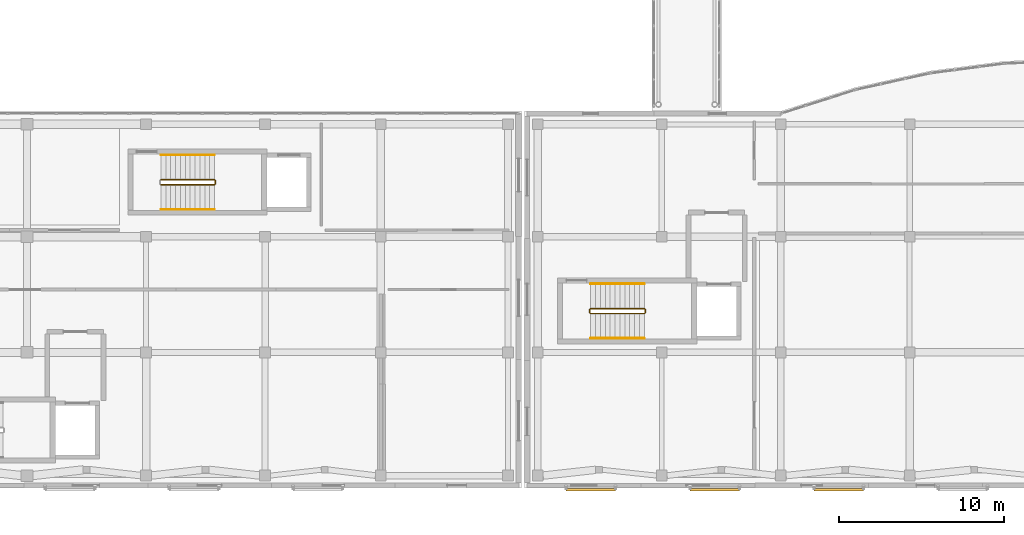
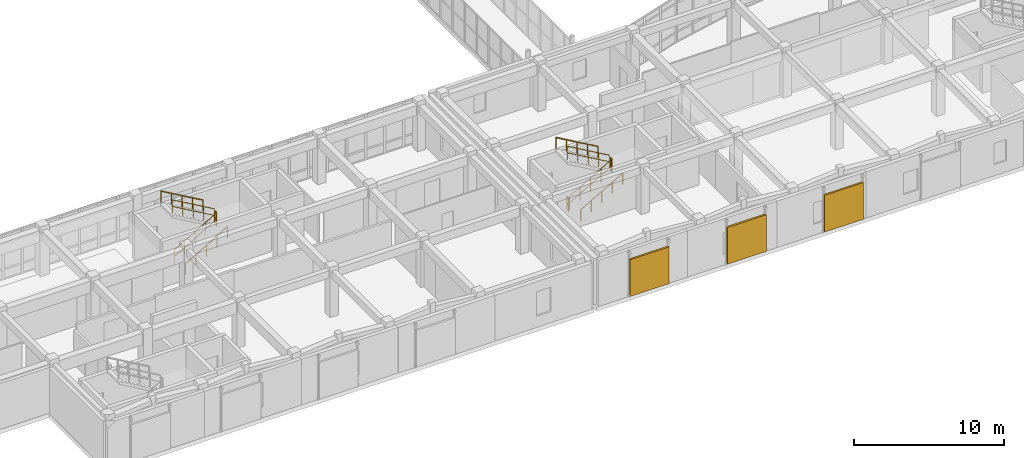
# One storey, part 142 of 146: 11 railings, 3 shading devices.
"""IFC4 building model written with IfcOpenShell, lengths in metres."""

from ifc_helpers import new_model, si_unit, direction, frame, origin, origin_2d, place, context, subcontext, project, spatial, rectangle, circle, extrude, material, layer, layer_set, type_object, element, save


model = new_model("IFC4")

# Units and contexts
model_context = context("Model", 3, precision=1e-05, world=origin(), true_north=direction((0.0, 1.0)))
body_context = subcontext(model_context, "Body", "Model", "MODEL_VIEW")
ifc_project = project(units=[si_unit("LENGTHUNIT", "METRE"), si_unit("AREAUNIT", "SQUARE_METRE"), si_unit("VOLUMEUNIT", "CUBIC_METRE"), si_unit("PLANEANGLEUNIT", "RADIAN"), si_unit("MASSUNIT", "GRAM", prefix="KILO")], contexts=[model_context])

# Site, building, storey
site_placement = place(None, origin())
site = spatial("IfcSite", under=ifc_project, at=site_placement, CompositionType="ELEMENT")
building_placement = place(site_placement, origin())
building = spatial("IfcBuilding", under=site, at=building_placement, Name="Valcora Specialist Clinic", CompositionType="ELEMENT")
storey_placement = place(building_placement, frame((0.0, 0.0, 9.52001953125)))
storey = spatial("IfcBuildingStorey", under=building, at=storey_placement, Name="L02", CompositionType="ELEMENT", Elevation=9.52001953125)

# Railings
ifc_material_1 = material(Name="Stainless Steel AISI 316", Category="steel")
railing_type_1 = type_object("IfcRailingType", Name="TY-RL-GRD112", PredefinedType="GUARDRAIL", material=ifc_material_1)
railing_1_placement = place(storey_placement, frame((31.5, 18.35009765625, 0.169921875)))
element("IfcRailing", 1, at=railing_1_placement, inside=storey, type_object=railing_type_1, Name="L02 ST-V5B stair guard 1", PredefinedType="GUARDRAIL", context=body_context, shape_type="SweptSolid", body=[
    extrude(circle(Radius=0.02392578125, at=origin_2d()), frame((0.0, 0.0, 1.09619140625), z_axis=(0.866424229515, 0.0, 0.499308576443), x_axis=(0.0, 1.0, 0.0)), (0.0, 0.0, 1.0), 3.745361328125),
    extrude(circle(Radius=0.02392578125, at=origin_2d()), frame((0.0, 0.0, 0.56005859375), z_axis=(0.866424229515, 0.0, 0.499308576443), x_axis=(0.0, 1.0, 0.0)), (0.0, 0.0, 1.0), 3.745361328125),
    extrude(circle(Radius=0.02099609375, at=origin_2d()), origin(), (0.0, 0.0, 1.0), 1.072021484375),
    extrude(circle(Radius=0.02099609375, at=origin_2d()), frame((0.811279296875, 0.0, 0.467529296875)), (0.0, 0.0, 1.0), 1.072021484375),
    extrude(circle(Radius=0.02099609375, at=origin_2d()), frame((1.62255859375, 0.0, 0.93505859375)), (0.0, 0.0, 1.0), 1.072021484375),
    extrude(circle(Radius=0.02099609375, at=origin_2d()), frame((2.433837890625, 0.0, 1.402587890625)), (0.0, 0.0, 1.0), 1.072021484375),
    extrude(circle(Radius=0.02099609375, at=origin_2d()), frame((3.2451171875, 0.0, 1.8701171875)), (0.0, 0.0, 1.0), 1.072021484375),
])
railing_2_placement = place(storey_placement, frame((34.794921875, 18.39990234375, 2.0400390625)))
element("IfcRailing", 2, at=railing_2_placement, inside=storey, type_object=railing_type_1, Name="L02 ST-V5B stair guard 2", PredefinedType="GUARDRAIL", context=body_context, shape_type="SweptSolid", body=[
    extrude(circle(Radius=0.02392578125, at=origin_2d()), frame((0.0, 0.0, 1.09619140625), z_axis=(0.0, 1.0, 0.0), x_axis=(-1.0, 0.0, 0.0)), (0.0, 0.0, 1.0), 0.2001953125),
    extrude(circle(Radius=0.02392578125, at=origin_2d()), frame((0.0, 0.0, 0.56005859375), z_axis=(0.0, 1.0, 0.0), x_axis=(-1.0, 0.0, 0.0)), (0.0, 0.0, 1.0), 0.2001953125),
    extrude(circle(Radius=0.02099609375, at=origin_2d()), origin(), (0.0, 0.0, 1.0), 1.072021484375),
    extrude(circle(Radius=0.02099609375, at=origin_2d()), frame((0.0, 0.2001953125, 0.0)), (0.0, 0.0, 1.0), 1.072021484375),
])
railing_3_placement = place(storey_placement, frame((34.7451171875, 18.64990234375, 2.2099609375)))
element("IfcRailing", 3, at=railing_3_placement, inside=storey, type_object=railing_type_1, Name="L02 ST-V5B stair guard 3", PredefinedType="GUARDRAIL", context=body_context, shape_type="SweptSolid", body=[
    extrude(circle(Radius=0.02392578125, at=origin_2d()), frame((0.0, 0.0, 1.09619140625), z_axis=(-0.866424229515, 0.0, 0.499308576443), x_axis=(0.0, -1.0, 0.0)), (0.0, 0.0, 1.0), 3.745361328125),
    extrude(circle(Radius=0.02392578125, at=origin_2d()), frame((0.0, 0.0, 0.56005859375), z_axis=(-0.866424229515, 0.0, 0.499308576443), x_axis=(0.0, -1.0, 0.0)), (0.0, 0.0, 1.0), 3.745361328125),
    extrude(circle(Radius=0.02099609375, at=origin_2d()), origin(), (0.0, 0.0, 1.0), 1.072021484375),
    extrude(circle(Radius=0.02099609375, at=origin_2d()), frame((-0.811279296875, 0.0, 0.467529296875)), (0.0, 0.0, 1.0), 1.072021484375),
    extrude(circle(Radius=0.02099609375, at=origin_2d()), frame((-1.62255859375, 0.0, 0.93505859375)), (0.0, 0.0, 1.0), 1.072021484375),
    extrude(circle(Radius=0.02099609375, at=origin_2d()), frame((-2.433837890625, 0.0, 1.402587890625)), (0.0, 0.0, 1.0), 1.072021484375),
    extrude(circle(Radius=0.02099609375, at=origin_2d()), frame((-3.2451171875, 0.0, 1.8701171875)), (0.0, 0.0, 1.0), 1.072021484375),
])
railing_4_placement = place(storey_placement, frame((57.5, 10.550048828125, 0.169921875)))
element("IfcRailing", 4, at=railing_4_placement, inside=storey, type_object=railing_type_1, Name="L02 ST-V6A stair guard 1", PredefinedType="GUARDRAIL", context=body_context, shape_type="SweptSolid", body=[
    extrude(circle(Radius=0.02392578125, at=origin_2d()), frame((0.0, 0.0, 1.09619140625), z_axis=(0.866424229515, 0.0, 0.499308576443), x_axis=(0.0, 1.0, 0.0)), (0.0, 0.0, 1.0), 3.745361328125),
    extrude(circle(Radius=0.02392578125, at=origin_2d()), frame((0.0, 0.0, 0.56005859375), z_axis=(0.866424229515, 0.0, 0.499308576443), x_axis=(0.0, 1.0, 0.0)), (0.0, 0.0, 1.0), 3.745361328125),
    extrude(circle(Radius=0.02099609375, at=origin_2d()), origin(), (0.0, 0.0, 1.0), 1.072021484375),
    extrude(circle(Radius=0.02099609375, at=origin_2d()), frame((0.811279296875, 0.0, 0.467529296875)), (0.0, 0.0, 1.0), 1.072021484375),
    extrude(circle(Radius=0.02099609375, at=origin_2d()), frame((1.62255859375, 0.0, 0.93505859375)), (0.0, 0.0, 1.0), 1.072021484375),
    extrude(circle(Radius=0.02099609375, at=origin_2d()), frame((2.433837890625, 0.0, 1.402587890625)), (0.0, 0.0, 1.0), 1.072021484375),
    extrude(circle(Radius=0.02099609375, at=origin_2d()), frame((3.2451171875, 0.0, 1.8701171875)), (0.0, 0.0, 1.0), 1.072021484375),
])
railing_5_placement = place(storey_placement, frame((60.794921875, 10.60009765625, 2.0400390625)))
element("IfcRailing", 5, at=railing_5_placement, inside=storey, type_object=railing_type_1, Name="L02 ST-V6A stair guard 2", PredefinedType="GUARDRAIL", context=body_context, shape_type="SweptSolid", body=[
    extrude(circle(Radius=0.02392578125, at=origin_2d()), frame((0.0, 0.0, 1.09619140625), z_axis=(0.0, 1.0, 0.0), x_axis=(-1.0, 0.0, 0.0)), (0.0, 0.0, 1.0), 0.199951171875),
    extrude(circle(Radius=0.02392578125, at=origin_2d()), frame((0.0, 0.0, 0.56005859375), z_axis=(0.0, 1.0, 0.0), x_axis=(-1.0, 0.0, 0.0)), (0.0, 0.0, 1.0), 0.199951171875),
    extrude(circle(Radius=0.02099609375, at=origin_2d()), origin(), (0.0, 0.0, 1.0), 1.072021484375),
    extrude(circle(Radius=0.02099609375, at=origin_2d()), frame((0.0, 0.199951171875, 0.0)), (0.0, 0.0, 1.0), 1.072021484375),
])
railing_6_placement = place(storey_placement, frame((60.7451171875, 10.85009765625, 2.2099609375)))
element("IfcRailing", 6, at=railing_6_placement, inside=storey, type_object=railing_type_1, Name="L02 ST-V6A stair guard 3", PredefinedType="GUARDRAIL", context=body_context, shape_type="SweptSolid", body=[
    extrude(circle(Radius=0.02392578125, at=origin_2d()), frame((0.0, 0.0, 1.09619140625), z_axis=(-0.866424229515, 0.0, 0.499308576443), x_axis=(0.0, -1.0, 0.0)), (0.0, 0.0, 1.0), 3.745361328125),
    extrude(circle(Radius=0.02392578125, at=origin_2d()), frame((0.0, 0.0, 0.56005859375), z_axis=(-0.866424229515, 0.0, 0.499308576443), x_axis=(0.0, -1.0, 0.0)), (0.0, 0.0, 1.0), 3.745361328125),
    extrude(circle(Radius=0.02099609375, at=origin_2d()), origin(), (0.0, 0.0, 1.0), 1.072021484375),
    extrude(circle(Radius=0.02099609375, at=origin_2d()), frame((-0.811279296875, 0.0, 0.467529296875)), (0.0, 0.0, 1.0), 1.072021484375),
    extrude(circle(Radius=0.02099609375, at=origin_2d()), frame((-1.62255859375, 0.0, 0.93505859375)), (0.0, 0.0, 1.0), 1.072021484375),
    extrude(circle(Radius=0.02099609375, at=origin_2d()), frame((-2.433837890625, 0.0, 1.402587890625)), (0.0, 0.0, 1.0), 1.072021484375),
    extrude(circle(Radius=0.02099609375, at=origin_2d()), frame((-3.2451171875, 0.0, 1.8701171875)), (0.0, 0.0, 1.0), 1.072021484375),
])
railing_7_placement = place(storey_placement, frame((57.449951171875, 10.60009765625, 0.0)))
element("IfcRailing", 7, at=railing_7_placement, inside=storey, type_object=railing_type_1, Name="L02 ST-V6A stair guard 4", PredefinedType="GUARDRAIL", context=body_context, shape_type="SweptSolid", body=[
    extrude(circle(Radius=0.02392578125, at=origin_2d()), frame((0.0, 0.0, 1.09619140625), z_axis=(0.0, 1.0, 0.0), x_axis=(-1.0, 0.0, 0.0)), (0.0, 0.0, 1.0), 0.199951171875),
    extrude(circle(Radius=0.02392578125, at=origin_2d()), frame((0.0, 0.0, 0.56005859375), z_axis=(0.0, 1.0, 0.0), x_axis=(-1.0, 0.0, 0.0)), (0.0, 0.0, 1.0), 0.199951171875),
    extrude(circle(Radius=0.02099609375, at=origin_2d()), origin(), (0.0, 0.0, 1.0), 1.072021484375),
    extrude(circle(Radius=0.02099609375, at=origin_2d()), frame((0.0, 0.199951171875, 0.0)), (0.0, 0.0, 1.0), 1.072021484375),
])
railing_type_2 = type_object("IfcRailingType", Name="TY-RL-HND092", PredefinedType="HANDRAIL", material=ifc_material_1)
railing_8_placement = place(storey_placement, frame((31.5, 16.85009765625, 0.169921875)))
element("IfcRailing", 8, at=railing_8_placement, inside=storey, type_object=railing_type_2, Name="L02 ST-V5B stair handrail 1", PredefinedType="HANDRAIL", context=body_context, shape_type="SweptSolid", body=[
    extrude(circle(Radius=0.02392578125, at=origin_2d()), frame((0.0, 0.0, 0.89599609375), z_axis=(0.866424229515, 0.0, 0.499308576443), x_axis=(0.0, 1.0, 0.0)), (0.0, 0.0, 1.0), 3.745361328125),
    extrude(circle(Radius=0.02099609375, at=origin_2d()), origin(), (0.0, 0.0, 1.0), 0.871826171875),
    extrude(circle(Radius=0.02099609375, at=origin_2d()), frame((0.811279296875, 0.0, 0.467529296875)), (0.0, 0.0, 1.0), 0.871826171875),
    extrude(circle(Radius=0.02099609375, at=origin_2d()), frame((1.62255859375, 0.0, 0.93505859375)), (0.0, 0.0, 1.0), 0.871826171875),
    extrude(circle(Radius=0.02099609375, at=origin_2d()), frame((2.433837890625, 0.0, 1.402587890625)), (0.0, 0.0, 1.0), 0.871826171875),
    extrude(circle(Radius=0.02099609375, at=origin_2d()), frame((3.2451171875, 0.0, 1.8701171875)), (0.0, 0.0, 1.0), 0.871826171875),
])
railing_9_placement = place(storey_placement, frame((34.7451171875, 20.14990234375, 2.2099609375)))
element("IfcRailing", 9, at=railing_9_placement, inside=storey, type_object=railing_type_2, Name="L02 ST-V5B stair handrail 2", PredefinedType="HANDRAIL", context=body_context, shape_type="SweptSolid", body=[
    extrude(circle(Radius=0.02392578125, at=origin_2d()), frame((0.0, 0.0, 0.89599609375), z_axis=(-0.866424229515, 0.0, 0.499308576443), x_axis=(0.0, -1.0, 0.0)), (0.0, 0.0, 1.0), 3.745361328125),
    extrude(circle(Radius=0.02099609375, at=origin_2d()), origin(), (0.0, 0.0, 1.0), 0.871826171875),
    extrude(circle(Radius=0.02099609375, at=origin_2d()), frame((-0.811279296875, 0.0, 0.467529296875)), (0.0, 0.0, 1.0), 0.871826171875),
    extrude(circle(Radius=0.02099609375, at=origin_2d()), frame((-1.62255859375, 0.0, 0.93505859375)), (0.0, 0.0, 1.0), 0.871826171875),
    extrude(circle(Radius=0.02099609375, at=origin_2d()), frame((-2.433837890625, 0.0, 1.402587890625)), (0.0, 0.0, 1.0), 0.871826171875),
    extrude(circle(Radius=0.02099609375, at=origin_2d()), frame((-3.2451171875, 0.0, 1.8701171875)), (0.0, 0.0, 1.0), 0.871826171875),
])
railing_10_placement = place(storey_placement, frame((57.5, 9.050048828125, 0.169921875)))
element("IfcRailing", 10, at=railing_10_placement, inside=storey, type_object=railing_type_2, Name="L02 ST-V6A stair handrail 1", PredefinedType="HANDRAIL", context=body_context, shape_type="SweptSolid", body=[
    extrude(circle(Radius=0.02392578125, at=origin_2d()), frame((0.0, 0.0, 0.89599609375), z_axis=(0.866424229515, 0.0, 0.499308576443), x_axis=(0.0, 1.0, 0.0)), (0.0, 0.0, 1.0), 3.745361328125),
    extrude(circle(Radius=0.02099609375, at=origin_2d()), origin(), (0.0, 0.0, 1.0), 0.871826171875),
    extrude(circle(Radius=0.02099609375, at=origin_2d()), frame((0.811279296875, 0.0, 0.467529296875)), (0.0, 0.0, 1.0), 0.871826171875),
    extrude(circle(Radius=0.02099609375, at=origin_2d()), frame((1.62255859375, 0.0, 0.93505859375)), (0.0, 0.0, 1.0), 0.871826171875),
    extrude(circle(Radius=0.02099609375, at=origin_2d()), frame((2.433837890625, 0.0, 1.402587890625)), (0.0, 0.0, 1.0), 0.871826171875),
    extrude(circle(Radius=0.02099609375, at=origin_2d()), frame((3.2451171875, 0.0, 1.8701171875)), (0.0, 0.0, 1.0), 0.871826171875),
])
railing_11_placement = place(storey_placement, frame((60.7451171875, 12.35009765625, 2.2099609375)))
element("IfcRailing", 11, at=railing_11_placement, inside=storey, type_object=railing_type_2, Name="L02 ST-V6A stair handrail 2", PredefinedType="HANDRAIL", context=body_context, shape_type="SweptSolid", body=[
    extrude(circle(Radius=0.02392578125, at=origin_2d()), frame((0.0, 0.0, 0.89599609375), z_axis=(-0.866424229515, 0.0, 0.499308576443), x_axis=(0.0, -1.0, 0.0)), (0.0, 0.0, 1.0), 3.745361328125),
    extrude(circle(Radius=0.02099609375, at=origin_2d()), origin(), (0.0, 0.0, 1.0), 0.871826171875),
    extrude(circle(Radius=0.02099609375, at=origin_2d()), frame((-0.811279296875, 0.0, 0.467529296875)), (0.0, 0.0, 1.0), 0.871826171875),
    extrude(circle(Radius=0.02099609375, at=origin_2d()), frame((-1.62255859375, 0.0, 0.93505859375)), (0.0, 0.0, 1.0), 0.871826171875),
    extrude(circle(Radius=0.02099609375, at=origin_2d()), frame((-2.433837890625, 0.0, 1.402587890625)), (0.0, 0.0, 1.0), 0.871826171875),
    extrude(circle(Radius=0.02099609375, at=origin_2d()), frame((-3.2451171875, 0.0, 1.8701171875)), (0.0, 0.0, 1.0), 0.871826171875),
])

# Shading devices
ifc_material_2 = material(Name="Perforated Jalisco Clay Brick Masonry", Category="masonry")
ifc_layer = layer(ifc_material_2, 0.139892578125)
ifc_layer_set = layer_set([ifc_layer], Name="Perforated Jalisco Clay Brick Masonry")
shading_device_type = type_object("IfcShadingDeviceType", Name="TY-SD-SCR300", PredefinedType="USERDEFINED", material=ifc_layer_set)
for number, where, z_axis, x_axis, name in (
    (12, (57.5, -0.10009765625, 0.119873046875), (0.0, 0.0, 1.0), (1.0, 0.0, 0.0), "Perforated Jalisco brick screen 15"),
    (13, (65.0, -0.10009765625, 0.119873046875), (0.0, 0.0, 1.0), (1.0, 0.0, 0.0), "Perforated Jalisco brick screen 16"),
    (14, (72.5, -0.10009765625, 0.119873046875), (0.0, 0.0, 1.0), (1.0, 0.0, 0.0), "Perforated Jalisco brick screen 17"),
):
    element("IfcShadingDevice", number, at=place(storey_placement, frame(where, z_axis=z_axis, x_axis=x_axis)), inside=storey, type_object=shading_device_type, Name=name, ObjectType="PERFORATED BRICK SCREEN", PredefinedType="USERDEFINED", context=body_context, shape_type="SweptSolid", body=[
        extrude(rectangle(XDim=3.0, YDim=0.139892578125, at=origin_2d()), origin(), (0.0, 0.0, 1.0), 3.0),
    ])

save(model, "model.ifc")
